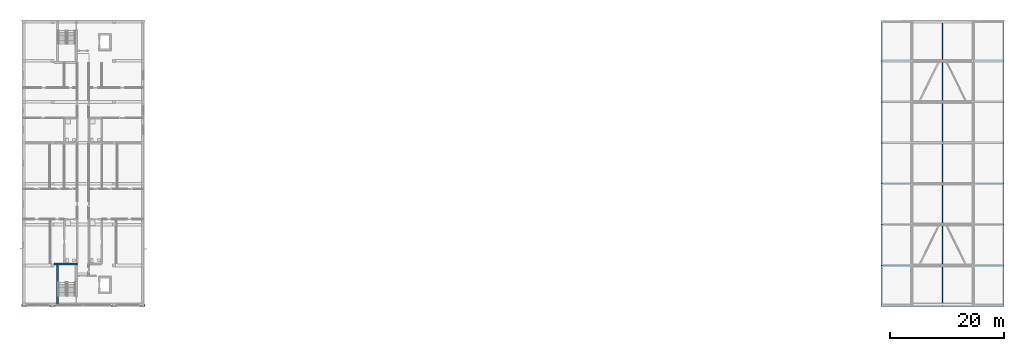
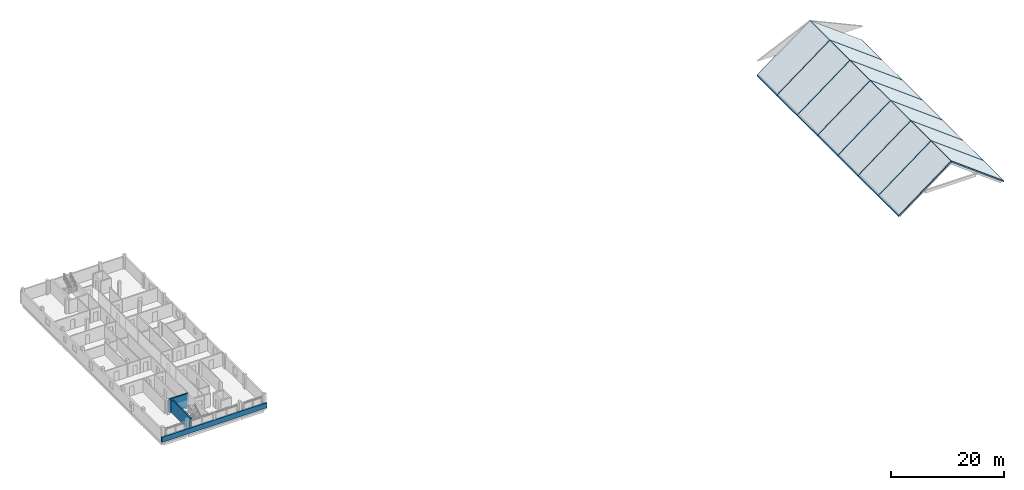
# One storey, part 5 of 16: 14 slabs, 3 walls, 1 element without a shape of its own.
"""IFC4 building model written with IfcOpenShell, lengths in metres."""

import ifcopenshell
import ifcopenshell.guid

model = None  # the IFC model being written
_history = None  # IfcOwnerHistory: only IFC2X3 demands one
_inside = {}  # id of a spatial element -> (the spatial element, [elements in it])
_under = {}  # id of a project, library or spatial element -> (it, [spatial elements below it])
_declared = {}  # id of a project -> (the project, [libraries it declares])
_typed = {}  # id of a type object -> (the type object, [elements of that type])
_made_of = {}  # id of a material, layer set ... -> (it, [elements and type objects made of it])


def new_model(schema):
    """Start an empty IFC model of exactly this schema.

    Asked for "IFC4X3", IfcOpenShell would pick the latest addendum, in which some entities
    have other attributes; the version numbers below select the first issue.
    IFC2X3 requires an IfcOwnerHistory on every rooted entity: one is made here for all.
    """
    global model, _history
    if schema == "IFC4X3":
        model = ifcopenshell.file(schema_version=(4, 3, 0, 0))
    else:
        model = ifcopenshell.file(schema=schema)
    _inside.clear()
    _under.clear()
    _declared.clear()
    _typed.clear()
    _made_of.clear()
    _history = None
    if model.schema == "IFC2X3":
        org = make("IfcOrganization", Name="unknown")
        user = make(
            "IfcPersonAndOrganization",
            ThePerson=make("IfcPerson", FamilyName="unknown"),
            TheOrganization=org,
        )
        app = make(
            "IfcApplication",
            ApplicationDeveloper=org,
            Version="unknown",
            ApplicationFullName="unknown",
            ApplicationIdentifier="unknown",
        )
        _history = make(
            "IfcOwnerHistory",
            OwningUser=user,
            OwningApplication=app,
            ChangeAction="ADDED",
            CreationDate=0,
        )
    return model


def make(cls, **values):
    """One entity of the class cls with the attributes given. An attribute that is None is left unset."""
    return model.create_entity(
        cls, **{name: value for name, value in values.items() if value is not None}
    )


def rooted(cls, **values):
    """An entity with a GlobalId (a new one), such as an element, a storey or a relation."""
    return make(cls, GlobalId=ifcopenshell.guid.new(), OwnerHistory=_history, **values)


def si_unit(unit_type, name, prefix=None):
    """IfcSIUnit, for example si_unit("LENGTHUNIT", "METRE", prefix="MILLI")."""
    return make("IfcSIUnit", UnitType=unit_type, Prefix=prefix, Name=name)


def derived_unit(unit_type, elements):
    """IfcDerivedUnit: a product of units, each with its exponent."""
    return make(
        "IfcDerivedUnit",
        Elements=[
            make("IfcDerivedUnitElement", Unit=unit, Exponent=power)
            for unit, power in elements
        ],
        UnitType=unit_type,
    )


def assignment(units):
    """IfcUnitAssignment: the units of a project."""
    return None if units is None else make("IfcUnitAssignment", Units=units)


def point(xyz):
    """IfcCartesianPoint."""
    return None if xyz is None else make("IfcCartesianPoint", Coordinates=xyz)


def direction(xyz):
    """IfcDirection."""
    return None if xyz is None else make("IfcDirection", DirectionRatios=xyz)


def frame(location, z_axis=None, x_axis=None):
    """IfcAxis2Placement3D, a coordinate frame: its origin and axes. An axis left out is left unset."""
    return make(
        "IfcAxis2Placement3D",
        Location=point(location),
        Axis=direction(z_axis),
        RefDirection=direction(x_axis),
    )


def frame_2d(location, x_axis=None):
    """IfcAxis2Placement2D, a coordinate frame in the plane: its origin and x axis."""
    return make(
        "IfcAxis2Placement2D", Location=point(location), RefDirection=direction(x_axis)
    )


def origin():
    """The frame at (0, 0, 0) with its axes left unset."""
    return frame((0.0, 0.0, 0.0))


def place(relative_to, where):
    """IfcLocalPlacement: puts the frame where relative to a parent placement (None: the world)."""
    return make(
        "IfcLocalPlacement", PlacementRelTo=relative_to, RelativePlacement=where
    )


def context(
    kind, dimensions, precision=None, world=None, true_north=None, identifier=None
):
    """IfcGeometricRepresentationContext, for example the 3D "Model" context."""
    return make(
        "IfcGeometricRepresentationContext",
        ContextIdentifier=identifier,
        ContextType=kind,
        CoordinateSpaceDimension=dimensions,
        Precision=precision,
        WorldCoordinateSystem=world,
        TrueNorth=true_north,
    )


def subcontext(parent, identifier, kind, view, scale=None):
    """IfcGeometricRepresentationSubContext, for example "Body" below "Model"."""
    return make(
        "IfcGeometricRepresentationSubContext",
        ContextIdentifier=identifier,
        ContextType=kind,
        ParentContext=parent,
        TargetScale=scale,
        TargetView=view,
    )


def project(units=None, contexts=None):
    """IfcProject with its units and contexts."""
    return rooted(
        "IfcProject",
        Name="project",
        RepresentationContexts=contexts,
        UnitsInContext=assignment(units),
    )


def spatial(cls, under=None, at=None, **own):
    """A site, building, storey or space (cls), placed at a placement, below another one or the project."""
    s = rooted(cls, ObjectPlacement=at, **own)
    if under is not None:
        _under.setdefault(under.id(), (under, []))[1].append(s)
    return s


def polyline(points):
    """IfcPolyline through the points."""
    return make("IfcPolyline", Points=[point(p) for p in points])


def profile(cls, at=None, kind="AREA", **sizes):
    """A parametric profile (cls). Its sizes go by their IFC names, for example OverallWidth=200.0."""
    return make(cls, ProfileType=kind, Position=at, **sizes)


def rectangle(**sizes):
    """IfcRectangleProfileDef."""
    return profile("IfcRectangleProfileDef", **sizes)


def outline(outer, holes=None, kind="AREA"):
    """IfcArbitraryClosedProfileDef: a profile drawn as a closed curve; with holes, ...WithVoids."""
    if holes is None:
        return make("IfcArbitraryClosedProfileDef", ProfileType=kind, OuterCurve=outer)
    return make(
        "IfcArbitraryProfileDefWithVoids",
        ProfileType=kind,
        OuterCurve=outer,
        InnerCurves=holes,
    )


def extrude(swept, where, along, depth):
    """IfcExtrudedAreaSolid: the profile swept, set in the frame where, extruded along a direction by depth."""
    return make(
        "IfcExtrudedAreaSolid",
        SweptArea=swept,
        Position=where,
        ExtrudedDirection=direction(along),
        Depth=depth,
    )


def shape(context_of_items, identifier, shape_type, items):
    """IfcShapeRepresentation: the items that make up one representation, for example the "Body"."""
    return make(
        "IfcShapeRepresentation",
        ContextOfItems=context_of_items,
        RepresentationIdentifier=identifier,
        RepresentationType=shape_type,
        Items=items,
    )


def material(Name=None, Category=None):
    """IfcMaterial."""
    return make("IfcMaterial", Name=Name, Category=Category)


def layer(
    of_material, thickness, ventilated=None, Name=None, Category=None, Priority=None
):
    """IfcMaterialLayer: one layer of a wall or slab, of a material (None: an air gap)."""
    return make(
        "IfcMaterialLayer",
        Material=of_material,
        LayerThickness=thickness,
        IsVentilated=ventilated,
        Name=Name,
        Category=Category,
        Priority=Priority,
    )


def layer_set(layers, Name=None):
    """IfcMaterialLayerSet."""
    return make("IfcMaterialLayerSet", MaterialLayers=layers, LayerSetName=Name)


def made_of(thing, what):
    """Note that an element or type object is made of a material, layer set ...; save() writes the relation."""
    if what is not None:
        _made_of.setdefault(what.id(), (what, []))[1].append(thing)
    return thing


def type_object(cls, material=None, **own):
    """A type object (cls), such as IfcWallType, which elements share."""
    return made_of(rooted(cls, **own), material)


def element(
    cls,
    number,
    at=None,
    inside=None,
    cuts=None,
    type_object=None,
    material=None,
    context=None,
    identifier="Body",
    shape_type=None,
    held_by="IfcProductDefinitionShape",
    body=None,
    shapes=None,
    **own,
):
    """One element of the class cls, such as IfcWall. Its Tag is "e" and its number.

    at: its placement. inside: the storey or other place that contains it. cuts: it is an
    opening in that element (IfcRelVoidsElement). A single representation is given by context,
    identifier, shape_type and body (its items); several are given by shapes. held_by: the class
    of the entity that holds the representations. save() writes the other relations.
    """
    e = rooted(cls, Tag="e%d" % number, ObjectPlacement=at, **own)
    if body is not None:
        shapes = [shape(context, identifier, shape_type, body)]
    if shapes is not None:
        e.Representation = make(held_by, Representations=shapes)
    if inside is not None:
        _inside.setdefault(inside.id(), (inside, []))[1].append(e)
    if cuts is not None:
        rooted(
            "IfcRelVoidsElement", RelatingBuildingElement=cuts, RelatedOpeningElement=e
        )
    if type_object is not None:
        _typed.setdefault(type_object.id(), (type_object, []))[1].append(e)
    return made_of(e, material)


def aggregate(whole, parts):
    """IfcRelAggregates: a whole, such as a stair, and the parts it consists of."""
    return rooted("IfcRelAggregates", RelatingObject=whole, RelatedObjects=parts)


def save(model, path):
    """Write the relations noted so far, then the file.

    IfcRelAggregates (storeys below a building ...), IfcRelContainedInSpatialStructure (elements
    in a storey), IfcRelDefinesByType, IfcRelAssociatesMaterial and IfcRelDeclares: one each for
    every whole, place, type object, material and project.
    """
    for whole, parts in _under.values():
        aggregate(whole, parts)
    for where, things in _inside.values():
        rooted(
            "IfcRelContainedInSpatialStructure",
            RelatedElements=things,
            RelatingStructure=where,
        )
    for kind, things in _typed.values():
        rooted("IfcRelDefinesByType", RelatedObjects=things, RelatingType=kind)
    for what, things in _made_of.values():
        rooted("IfcRelAssociatesMaterial", RelatedObjects=things, RelatingMaterial=what)
    for by, libraries in _declared.values():
        rooted("IfcRelDeclares", RelatingContext=by, RelatedDefinitions=libraries)
    model.write(path)


model = new_model("IFC4")

# Units and contexts
model_context = context("Model", 3, precision=1e-05, world=origin(), true_north=direction((0.0, 1.0)))
body_context = subcontext(model_context, "Body", "Model", "MODEL_VIEW")
ifc_project = project(units=[si_unit("LENGTHUNIT", "METRE"), si_unit("AREAUNIT", "SQUARE_METRE"), si_unit("VOLUMEUNIT", "CUBIC_METRE"), si_unit("PLANEANGLEUNIT", "RADIAN"), si_unit("MASSUNIT", "GRAM", prefix="KILO"), derived_unit("THERMALTRANSMITTANCEUNIT", [(si_unit("MASSUNIT", "GRAM", prefix="KILO"), 1), (si_unit("TIMEUNIT", "SECOND"), -3), (si_unit("THERMODYNAMICTEMPERATUREUNIT", "KELVIN"), -1)])], contexts=[model_context])

# Site, building, storey
site_placement = place(None, origin())
site = spatial("IfcSite", under=ifc_project, at=site_placement, CompositionType="ELEMENT")
building_placement = place(site_placement, origin())
building = spatial("IfcBuilding", under=site, at=building_placement, Name="Ochrekiln Boulevard Commons", CompositionType="ELEMENT")
storey_placement = place(building_placement, frame((0.0, 0.0, 43.574951171875)))
storey = spatial("IfcBuildingStorey", under=building, at=storey_placement, Name="L13", CompositionType="ELEMENT", Elevation=43.574951171875)

# Roof, slabs
ifc_material_1 = material(Name="Concrete C35/45", Category="concrete")
roof_type = type_object("IfcRoofType", Name="ROOF-GABLE", PredefinedType="GABLE_ROOF", material=ifc_material_1)
roof_placement = place(storey_placement, origin())
roof = element("IfcRoof", 1, at=roof_placement, inside=storey, type_object=roof_type, Name="Block B Two-Storey Steep Solar Gable Roof", PredefinedType="GABLE_ROOF")
ifc_layer_1 = layer(ifc_material_1, 0.239990234375)
ifc_layer_set_1 = layer_set([ifc_layer_1], Name="Concrete C35/45")
slab_type = type_object("IfcSlabType", Name="SLB-GABLE-240", PredefinedType="ROOF", material=ifc_layer_set_1)
slab_1_placement = place(storey_placement, frame((151.199951171875, 75.60009765625, -3.699951171875), z_axis=(0.0, -1.0, 0.0), x_axis=(1.0, 0.0, 0.0)))
slab_1 = element("IfcSlab", 2, at=slab_1_placement, type_object=slab_type, Name="Block B Solar Gable Roof Slab 1W", PredefinedType="ROOF", context=body_context, shape_type="SweptSolid", body=[
    extrude(outline(polyline([(0.0, 0.0), (10.800048828125, 8.10009765625), (10.800048828125, 7.800048828125), (0.0, -0.300048828125), (0.0, 0.0)])), origin(), (0.0, 0.0, 1.0), 7.199951171875),
])
slab_2_placement = place(storey_placement, frame((172.800048828125, 68.39990234375, -3.699951171875), z_axis=(0.0, 1.0, 0.0), x_axis=(-1.0, 0.0, 0.0)))
slab_2 = element("IfcSlab", 3, at=slab_2_placement, type_object=slab_type, Name="Block B Solar Gable Roof Slab 1E", PredefinedType="ROOF", context=body_context, shape_type="SweptSolid", body=[
    extrude(outline(polyline([(0.0, 0.0), (10.800048828125, 8.10009765625), (10.800048828125, 7.800048828125), (0.0, -0.300048828125), (0.0, 0.0)])), origin(), (0.0, 0.0, 1.0), 7.199951171875),
])
slab_3_placement = place(storey_placement, frame((151.199951171875, 82.800048828125, -3.699951171875), z_axis=(0.0, -1.0, 0.0), x_axis=(1.0, 0.0, 0.0)))
slab_3 = element("IfcSlab", 4, at=slab_3_placement, type_object=slab_type, Name="Block B Solar Gable Roof Slab 2W", PredefinedType="ROOF", context=body_context, shape_type="SweptSolid", body=[
    extrude(outline(polyline([(0.0, 0.0), (10.800048828125, 8.10009765625), (10.800048828125, 7.800048828125), (0.0, -0.300048828125), (0.0, 0.0)])), origin(), (0.0, 0.0, 1.0), 7.199951171875),
])
slab_4_placement = place(storey_placement, frame((172.800048828125, 75.60009765625, -3.699951171875), z_axis=(0.0, 1.0, 0.0), x_axis=(-1.0, 0.0, 0.0)))
slab_4 = element("IfcSlab", 5, at=slab_4_placement, type_object=slab_type, Name="Block B Solar Gable Roof Slab 2E", PredefinedType="ROOF", context=body_context, shape_type="SweptSolid", body=[
    extrude(outline(polyline([(0.0, 0.0), (10.800048828125, 8.10009765625), (10.800048828125, 7.800048828125), (0.0, -0.300048828125), (0.0, 0.0)])), origin(), (0.0, 0.0, 1.0), 7.199951171875),
])
slab_5_placement = place(storey_placement, frame((151.199951171875, 90.0, -3.699951171875), z_axis=(0.0, -1.0, 0.0), x_axis=(1.0, 0.0, 0.0)))
slab_5 = element("IfcSlab", 6, at=slab_5_placement, type_object=slab_type, Name="Block B Solar Gable Roof Slab 3W", PredefinedType="ROOF", context=body_context, shape_type="SweptSolid", body=[
    extrude(outline(polyline([(0.0, 0.0), (10.800048828125, 8.10009765625), (10.800048828125, 7.800048828125), (0.0, -0.300048828125), (0.0, 0.0)])), origin(), (0.0, 0.0, 1.0), 7.199951171875),
])
slab_6_placement = place(storey_placement, frame((172.800048828125, 82.800048828125, -3.699951171875), z_axis=(0.0, 1.0, 0.0), x_axis=(-1.0, 0.0, 0.0)))
slab_6 = element("IfcSlab", 7, at=slab_6_placement, type_object=slab_type, Name="Block B Solar Gable Roof Slab 3E", PredefinedType="ROOF", context=body_context, shape_type="SweptSolid", body=[
    extrude(outline(polyline([(0.0, 0.0), (10.800048828125, 8.10009765625), (10.800048828125, 7.800048828125), (0.0, -0.300048828125), (0.0, 0.0)])), origin(), (0.0, 0.0, 1.0), 7.199951171875),
])
slab_7_placement = place(storey_placement, frame((151.199951171875, 97.199951171875, -3.699951171875), z_axis=(0.0, -1.0, 0.0), x_axis=(1.0, 0.0, 0.0)))
slab_7 = element("IfcSlab", 8, at=slab_7_placement, type_object=slab_type, Name="Block B Solar Gable Roof Slab 4W", PredefinedType="ROOF", context=body_context, shape_type="SweptSolid", body=[
    extrude(outline(polyline([(0.0, 0.0), (10.800048828125, 8.10009765625), (10.800048828125, 7.800048828125), (0.0, -0.300048828125), (0.0, 0.0)])), origin(), (0.0, 0.0, 1.0), 7.199951171875),
])
slab_8_placement = place(storey_placement, frame((172.800048828125, 90.0, -3.699951171875), z_axis=(0.0, 1.0, 0.0), x_axis=(-1.0, 0.0, 0.0)))
slab_8 = element("IfcSlab", 9, at=slab_8_placement, type_object=slab_type, Name="Block B Solar Gable Roof Slab 4E", PredefinedType="ROOF", context=body_context, shape_type="SweptSolid", body=[
    extrude(outline(polyline([(0.0, 0.0), (10.800048828125, 8.10009765625), (10.800048828125, 7.800048828125), (0.0, -0.300048828125), (0.0, 0.0)])), origin(), (0.0, 0.0, 1.0), 7.199951171875),
])
slab_9_placement = place(storey_placement, frame((151.199951171875, 104.39990234375, -3.699951171875), z_axis=(0.0, -1.0, 0.0), x_axis=(1.0, 0.0, 0.0)))
slab_9 = element("IfcSlab", 10, at=slab_9_placement, type_object=slab_type, Name="Block B Solar Gable Roof Slab 5W", PredefinedType="ROOF", context=body_context, shape_type="SweptSolid", body=[
    extrude(outline(polyline([(0.0, 0.0), (10.800048828125, 8.10009765625), (10.800048828125, 7.800048828125), (0.0, -0.300048828125), (0.0, 0.0)])), origin(), (0.0, 0.0, 1.0), 7.199951171875),
])
slab_10_placement = place(storey_placement, frame((172.800048828125, 97.199951171875, -3.699951171875), z_axis=(0.0, 1.0, 0.0), x_axis=(-1.0, 0.0, 0.0)))
slab_10 = element("IfcSlab", 11, at=slab_10_placement, type_object=slab_type, Name="Block B Solar Gable Roof Slab 5E", PredefinedType="ROOF", context=body_context, shape_type="SweptSolid", body=[
    extrude(outline(polyline([(0.0, 0.0), (10.800048828125, 8.10009765625), (10.800048828125, 7.800048828125), (0.0, -0.300048828125), (0.0, 0.0)])), origin(), (0.0, 0.0, 1.0), 7.199951171875),
])
slab_11_placement = place(storey_placement, frame((151.199951171875, 111.60009765625, -3.699951171875), z_axis=(0.0, -1.0, 0.0), x_axis=(1.0, 0.0, 0.0)))
slab_11 = element("IfcSlab", 12, at=slab_11_placement, type_object=slab_type, Name="Block B Solar Gable Roof Slab 6W", PredefinedType="ROOF", context=body_context, shape_type="SweptSolid", body=[
    extrude(outline(polyline([(0.0, 0.0), (10.800048828125, 8.10009765625), (10.800048828125, 7.800048828125), (0.0, -0.300048828125), (0.0, 0.0)])), origin(), (0.0, 0.0, 1.0), 7.199951171875),
])
slab_12_placement = place(storey_placement, frame((172.800048828125, 104.39990234375, -3.699951171875), z_axis=(0.0, 1.0, 0.0), x_axis=(-1.0, 0.0, 0.0)))
slab_12 = element("IfcSlab", 13, at=slab_12_placement, type_object=slab_type, Name="Block B Solar Gable Roof Slab 6E", PredefinedType="ROOF", context=body_context, shape_type="SweptSolid", body=[
    extrude(outline(polyline([(0.0, 0.0), (10.800048828125, 8.10009765625), (10.800048828125, 7.800048828125), (0.0, -0.300048828125), (0.0, 0.0)])), origin(), (0.0, 0.0, 1.0), 7.199951171875),
])
slab_13_placement = place(storey_placement, frame((151.199951171875, 118.800048828125, -3.699951171875), z_axis=(0.0, -1.0, 0.0), x_axis=(1.0, 0.0, 0.0)))
slab_13 = element("IfcSlab", 14, at=slab_13_placement, type_object=slab_type, Name="Block B Solar Gable Roof Slab 7W", PredefinedType="ROOF", context=body_context, shape_type="SweptSolid", body=[
    extrude(outline(polyline([(0.0, 0.0), (10.800048828125, 8.10009765625), (10.800048828125, 7.800048828125), (0.0, -0.300048828125), (0.0, 0.0)])), origin(), (0.0, 0.0, 1.0), 7.199951171875),
])
slab_14_placement = place(storey_placement, frame((172.800048828125, 111.60009765625, -3.699951171875), z_axis=(0.0, 1.0, 0.0), x_axis=(-1.0, 0.0, 0.0)))
slab_14 = element("IfcSlab", 15, at=slab_14_placement, type_object=slab_type, Name="Block B Solar Gable Roof Slab 7E", PredefinedType="ROOF", context=body_context, shape_type="SweptSolid", body=[
    extrude(outline(polyline([(0.0, 0.0), (10.800048828125, 8.10009765625), (10.800048828125, 7.800048828125), (0.0, -0.300048828125), (0.0, 0.0)])), origin(), (0.0, 0.0, 1.0), 7.199951171875),
])
aggregate(roof, [slab_1, slab_2, slab_3, slab_4, slab_5, slab_6, slab_7, slab_8, slab_9, slab_10, slab_11, slab_12, slab_13, slab_14])

# Walls
ifc_material_2 = material(Name="Desert ochre clinker brick masonry ASTM C216 Grade SW", Category="masonry")
ifc_layer_2 = layer(ifc_material_2, 0.320068359375)
ifc_layer_set_2 = layer_set([ifc_layer_2], Name="Desert ochre clinker brick masonry ASTM C216 Grade SW")
wall_type_1 = type_object("IfcWallType", Name="WL-EXT-OCHRE-320", PredefinedType="SOLIDWALL", material=ifc_layer_set_2)
wall_1_placement = place(storey_placement, frame((0.0, 68.56005859375, 0.0), z_axis=(0.0, 0.0, 1.0), x_axis=(1.0, 0.0, 0.0)))
element("IfcWall", 16, at=wall_1_placement, inside=storey, type_object=wall_type_1, Name="Block A L13 Courtyard Gable Sill Wall", PredefinedType="SOLIDWALL", context=body_context, shape_type="SweptSolid", body=[
    extrude(rectangle(XDim=21.60009765625, YDim=0.320068359375, at=frame_2d((10.800048828125, 0.0))), origin(), (0.0, 0.0, 1.0), 1.110107421875),
])
ifc_material_3 = material(Name="Concrete C40/50", Category="concrete")
ifc_layer_3 = layer(ifc_material_3, 0.300048828125)
ifc_layer_set_3 = layer_set([ifc_layer_3], Name="Concrete C40/50")
wall_type_2 = type_object("IfcWallType", Name="WL-SH-300", PredefinedType="SHEAR", material=ifc_layer_set_3)
wall_2_placement = place(storey_placement, frame((5.64990234375, 75.8701171875, 0.0), z_axis=(0.0, 0.0, 1.0), x_axis=(1.0, 0.0, 0.0)))
element("IfcWall", 17, at=wall_2_placement, inside=storey, type_object=wall_type_2, Name="Stair ST-A1 L13 Core Shear Wall N", PredefinedType="SHEAR", context=body_context, shape_type="SweptSolid", body=[
    extrude(rectangle(XDim=4.050048828125, YDim=0.300048828125, at=frame_2d((2.02490234375, 0.0))), origin(), (0.0, 0.0, 1.0), 2.900146484375),
])
wall_3_placement = place(storey_placement, frame((6.25, 68.719970703125, 0.0), z_axis=(0.0, 0.0, 1.0), x_axis=(0.0, 1.0, 0.0)))
element("IfcWall", 18, at=wall_3_placement, inside=storey, type_object=wall_type_2, Name="Stair ST-A1 L13 Core Shear Wall W", PredefinedType="SHEAR", context=body_context, shape_type="SweptSolid", body=[
    extrude(rectangle(XDim=7.0, YDim=0.300048828125, at=frame_2d((3.5, 0.0))), origin(), (0.0, 0.0, 1.0), 2.900146484375),
])

save(model, "model.ifc")
